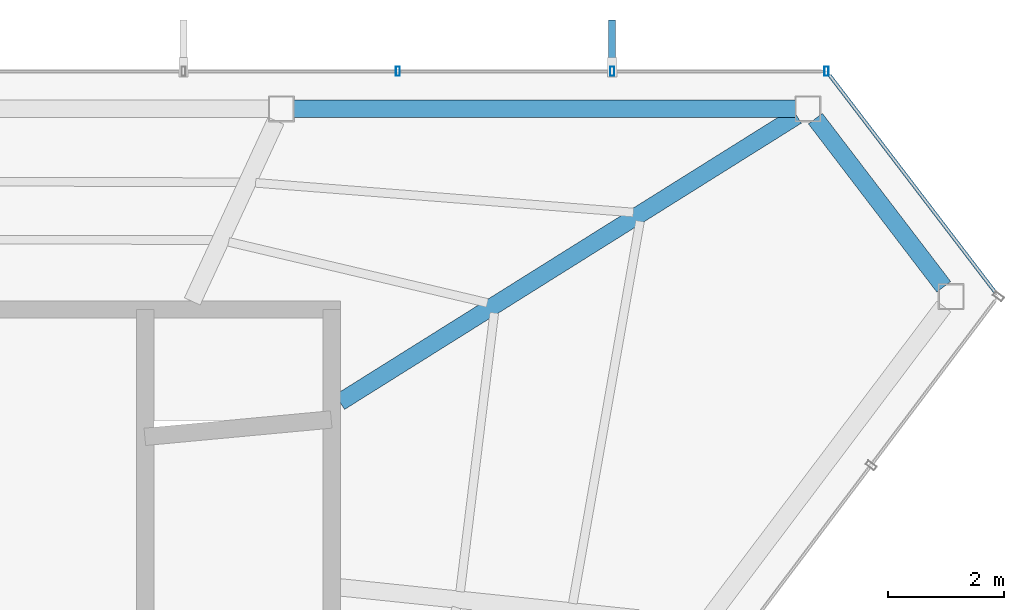
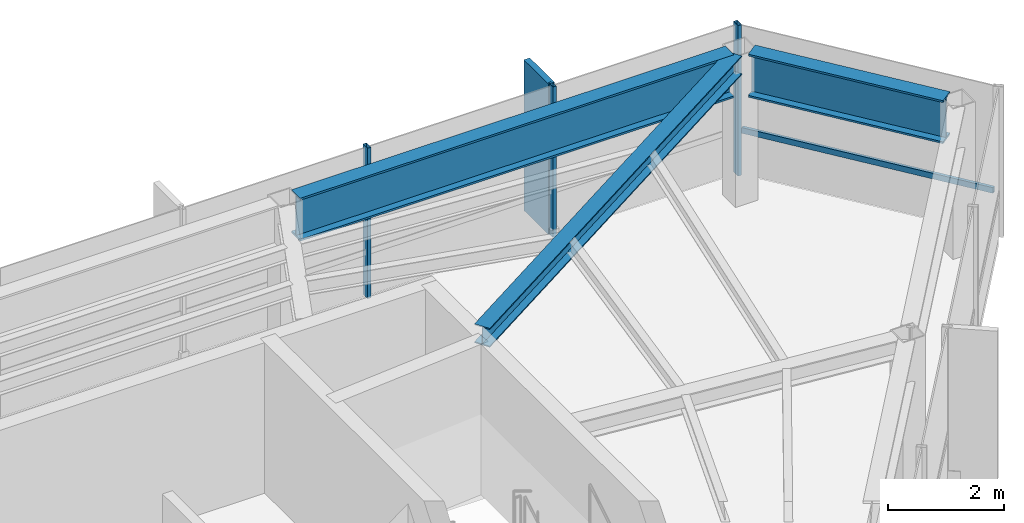
# One storey, part 18 of 22: 5 members, 3 beams, 2 elements without a shape of their own.
"""IFC4 building model written with IfcOpenShell, lengths in metres."""

from ifc_helpers import new_model, si_unit, direction, frame, origin, origin_2d, place, context, subcontext, project, spatial, rectangle, hollow_rectangle, i_section, extrude, material, layer, layer_set, material_profile, profile_set, type_object, element, aggregate, save


model = new_model("IFC4")

# Units and contexts
model_context = context("Model", 3, precision=1e-05, world=origin(), true_north=direction((0.0, 1.0)))
body_context = subcontext(model_context, "Body", "Model", "MODEL_VIEW")
ifc_project = project(units=[si_unit("LENGTHUNIT", "METRE"), si_unit("AREAUNIT", "SQUARE_METRE"), si_unit("VOLUMEUNIT", "CUBIC_METRE"), si_unit("PLANEANGLEUNIT", "RADIAN"), si_unit("MASSUNIT", "GRAM", prefix="KILO")], contexts=[model_context])

# Site, building, storey
site_placement = place(None, origin())
site = spatial("IfcSite", under=ifc_project, at=site_placement, CompositionType="ELEMENT")
building_placement = place(site_placement, origin())
building = spatial("IfcBuilding", under=site, at=building_placement, Name="Zarrinselat Tower", CompositionType="ELEMENT")
storey_placement = place(building_placement, frame((0.0, 0.0, 292.39990234375)))
storey = spatial("IfcBuildingStorey", under=building, at=storey_placement, Name="L75", CompositionType="ELEMENT", Elevation=292.39990234375)

# Beams
ifc_material_1 = material(Name="Steel S355J2", Category="steel")
ifc_material_profile_1 = material_profile(ifc_material_1, i_section(OverallWidth=0.300048828125, OverallDepth=0.39990234375, WebThickness=0.013427734375, FlangeThickness=0.02392578125, at=origin_2d()), Name="HEB 400")
ifc_profile_set_1 = profile_set([ifc_material_profile_1], Name="Steel S355J2")
beam_type_1 = type_object("IfcBeamType", Name="BM-HEB400", PredefinedType="BEAM", material=ifc_profile_set_1)
beam_1_placement = place(storey_placement, frame((48.35009765625, 41.800048828125, 2.97998046875), z_axis=(0.847376332873, 0.53099279702, 0.0), x_axis=(-0.53099279702, 0.847376332873, 0.0)))
element("IfcBeam", 1, at=beam_1_placement, inside=storey, type_object=beam_type_1, Name="L75 Radial Primary Girder RG01", PredefinedType="BEAM", context=body_context, shape_type="SweptSolid", body=[
    extrude(i_section(OverallWidth=0.300048828125, OverallDepth=0.39990234375, WebThickness=0.013427734375, FlangeThickness=0.02392578125, at=origin_2d()), origin(), (0.0, 0.0, 1.0), 9.314697265625),
])
ifc_material_2 = material(Name="Steel S460M", Category="steel")
ifc_material_profile_2 = material_profile(ifc_material_2, i_section(OverallWidth=0.302001953125, OverallDepth=0.909912109375, WebThickness=0.02099609375, FlangeThickness=0.0400390625, at=origin_2d()), Name="HEM 900")
ifc_profile_set_2 = profile_set([ifc_material_profile_2], Name="Steel S460M")
beam_type_2 = type_object("IfcBeamType", Name="BM-HEM900", PredefinedType="BEAM", material=ifc_profile_set_2)
beam_2_placement = place(storey_placement, frame((47.553466796875, 46.86669921875, 2.72509765625), z_axis=(1.0, 0.0, 0.0), x_axis=(0.0, 1.0, 0.0)))
element("IfcBeam", 2, at=beam_2_placement, inside=storey, type_object=beam_type_2, Name="L75 Perimeter Spandrel Girder SP01", PredefinedType="BEAM", context=body_context, shape_type="SweptSolid", body=[
    extrude(i_section(OverallWidth=0.302001953125, OverallDepth=0.909912109375, WebThickness=0.02099609375, FlangeThickness=0.0400390625, at=origin_2d()), origin(), (0.0, 0.0, 1.0), 8.669189453125),
])
beam_3_placement = place(storey_placement, frame((56.564697265625, 46.697509765625, 2.72509765625), z_axis=(0.606807728464, -0.794848652686, 0.0), x_axis=(0.794848652686, 0.606807728464, 0.0)))
element("IfcBeam", 3, at=beam_3_placement, inside=storey, type_object=beam_type_2, Name="L75 Perimeter Spandrel Girder SP15", PredefinedType="BEAM", context=body_context, shape_type="SweptSolid", body=[
    extrude(i_section(OverallWidth=0.302001953125, OverallDepth=0.909912109375, WebThickness=0.02099609375, FlangeThickness=0.0400390625, at=origin_2d()), origin(), (0.0, 0.0, 1.0), 3.65478515625),
])

# Curtain wall, members
ifc_material_3 = material(Name="Extruded Aluminium Alloy EN AW-6063 T6", Category="aluminium")
ifc_layer = layer(ifc_material_3, 0.169921875)
ifc_layer_set = layer_set([ifc_layer], Name="Extruded Aluminium Alloy EN AW-6063 T6")
curtain_wall_type = type_object("IfcCurtainWallType", Name="CWS-RES", PredefinedType="NOTDEFINED", material=ifc_layer_set)
curtain_wall_1_placement = place(storey_placement, origin())
curtain_wall_1 = element("IfcCurtainWall", 4, at=curtain_wall_1_placement, inside=storey, type_object=curtain_wall_type, Name="L75 Unitised Curtain Wall CW-L75-E01", PredefinedType="NOTDEFINED")
ifc_material_4 = material(Name="Extruded Aluminium Alloy EN AW-6063 T6", Category="aluminium")
ifc_material_profile_3 = material_profile(ifc_material_4, hollow_rectangle(XDim=0.070068359375, YDim=0.159912109375, WallThickness=0.00390625, at=origin_2d()), Name="RHS 160x70x4")
ifc_profile_set_3 = profile_set([ifc_material_profile_3], Name="Extruded Aluminium Alloy EN AW-6063 T6")
member_type_1 = type_object("IfcMemberType", Name="MEM-CW-MUL2", PredefinedType="MULLION", material=ifc_profile_set_3)
member_1_placement = place(storey_placement, frame((56.757080078125, 47.5166015625, 0.0), z_axis=(0.0, 0.0, 1.0), x_axis=(-1.0, 0.0, 0.0)))
member_1 = element("IfcMember", 5, at=member_1_placement, type_object=member_type_1, Name="CW-L75-E01 Mullion 0", PredefinedType="MULLION", context=body_context, shape_type="SweptSolid", body=[
    extrude(hollow_rectangle(XDim=0.070068359375, YDim=0.159912109375, WallThickness=0.00390625, at=origin_2d()), origin(), (0.0, 0.0, 1.0), 3.18017578125),
])
member_2_placement = place(storey_placement, frame((53.054443359375, 47.5166015625, 0.0), z_axis=(0.0, 0.0, 1.0), x_axis=(-1.0, 0.0, 0.0)))
member_2 = element("IfcMember", 6, at=member_2_placement, type_object=member_type_1, Name="CW-L75-E01 Mullion 1", PredefinedType="MULLION", context=body_context, shape_type="SweptSolid", body=[
    extrude(hollow_rectangle(XDim=0.070068359375, YDim=0.159912109375, WallThickness=0.00390625, at=origin_2d()), origin(), (0.0, 0.0, 1.0), 3.18017578125),
])
member_3_placement = place(storey_placement, frame((49.351806640625, 47.5166015625, 0.0), z_axis=(0.0, 0.0, 1.0), x_axis=(-1.0, 0.0, 0.0)))
member_3 = element("IfcMember", 7, at=member_3_placement, type_object=member_type_1, Name="CW-L75-E01 Mullion 2", PredefinedType="MULLION", context=body_context, shape_type="SweptSolid", body=[
    extrude(hollow_rectangle(XDim=0.070068359375, YDim=0.159912109375, WallThickness=0.00390625, at=origin_2d()), origin(), (0.0, 0.0, 1.0), 3.18017578125),
])

# Curtain wall, member
curtain_wall_2_placement = place(storey_placement, origin())
curtain_wall_2 = element("IfcCurtainWall", 8, at=curtain_wall_2_placement, inside=storey, type_object=curtain_wall_type, Name="L75 Unitised Curtain Wall CW-L75-E06", PredefinedType="NOTDEFINED")
ifc_material_5 = material(Name="Extruded Aluminium Alloy EN AW-6063 T6", Category="aluminium")
ifc_material_profile_4 = material_profile(ifc_material_5, hollow_rectangle(XDim=0.06005859375, YDim=0.1201171875, WallThickness=0.00390625, at=origin_2d()), Name="RHS 120x60x4")
ifc_profile_set_4 = profile_set([ifc_material_profile_4], Name="Extruded Aluminium Alloy EN AW-6063 T6")
member_type_2 = type_object("IfcMemberType", Name="MEM-CW-TRN2", PredefinedType="USERDEFINED", material=ifc_profile_set_4)
member_4_placement = place(storey_placement, frame((59.6728515625, 43.697265625, 0.9501953125), z_axis=(-0.606771475244, 0.79487632801, 0.0), x_axis=(-0.79487632801, -0.606771475244, 0.0)))
member_4 = element("IfcMember", 9, at=member_4_placement, type_object=member_type_2, Name="CW-L75-E06 Transom 1", ObjectType="TRANSOM", PredefinedType="USERDEFINED", context=body_context, shape_type="SweptSolid", body=[
    extrude(hollow_rectangle(XDim=0.06005859375, YDim=0.1201171875, WallThickness=0.00390625, at=origin_2d()), origin(), (0.0, 0.0, 1.0), 4.71533203125),
])
aggregate(curtain_wall_2, [member_4])

# Member
ifc_material_6 = material(Name="Honed Cream Travertine Stone", Category="masonry")
ifc_material_profile_5 = material_profile(ifc_material_6, rectangle(XDim=0.1201171875, YDim=0.85009765625, at=origin_2d()), Name="FIN 850x120")
ifc_profile_set_5 = profile_set([ifc_material_profile_5], Name="Honed Cream Travertine Stone")
member_type_3 = type_object("IfcMemberType", Name="MEM-STONE-FIN", PredefinedType="USERDEFINED", material=ifc_profile_set_5)
member_5_placement = place(storey_placement, frame((53.054443359375, 47.976806640625, 0.0), z_axis=(0.0, 0.0, 1.0), x_axis=(1.0, 0.0, 0.0)))
member_5 = element("IfcMember", 10, at=member_5_placement, type_object=member_type_3, Name="L75 Stone Shading Fin CW-L75-E01-01", ObjectType="FIN", PredefinedType="USERDEFINED", context=body_context, shape_type="SweptSolid", body=[
    extrude(rectangle(XDim=0.1201171875, YDim=0.85009765625, at=origin_2d()), origin(), (0.0, 0.0, 1.0), 3.18017578125),
])

aggregate(curtain_wall_1, [member_1, member_2, member_5, member_3])

save(model, "model.ifc")
